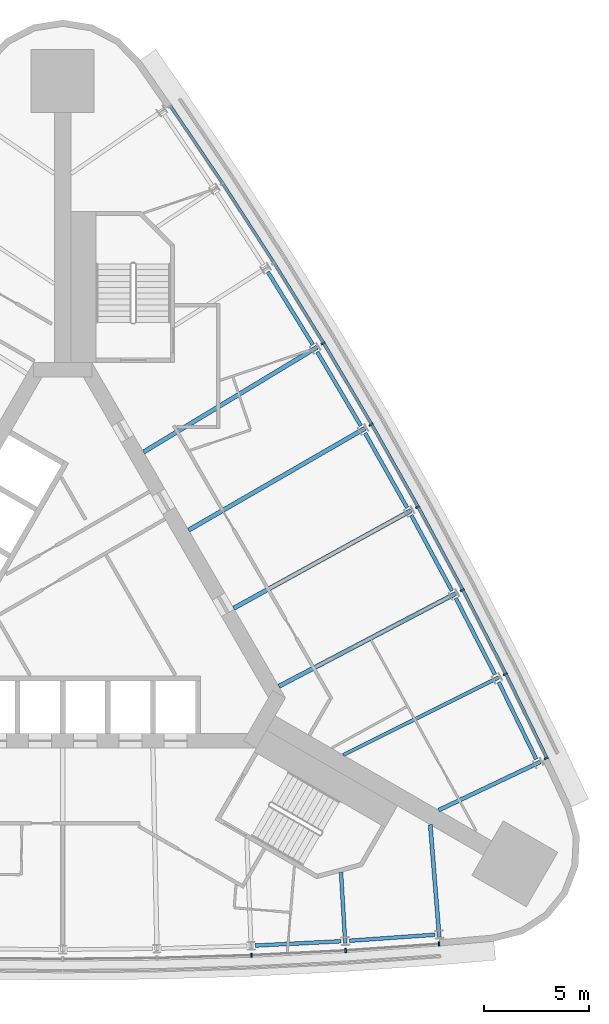
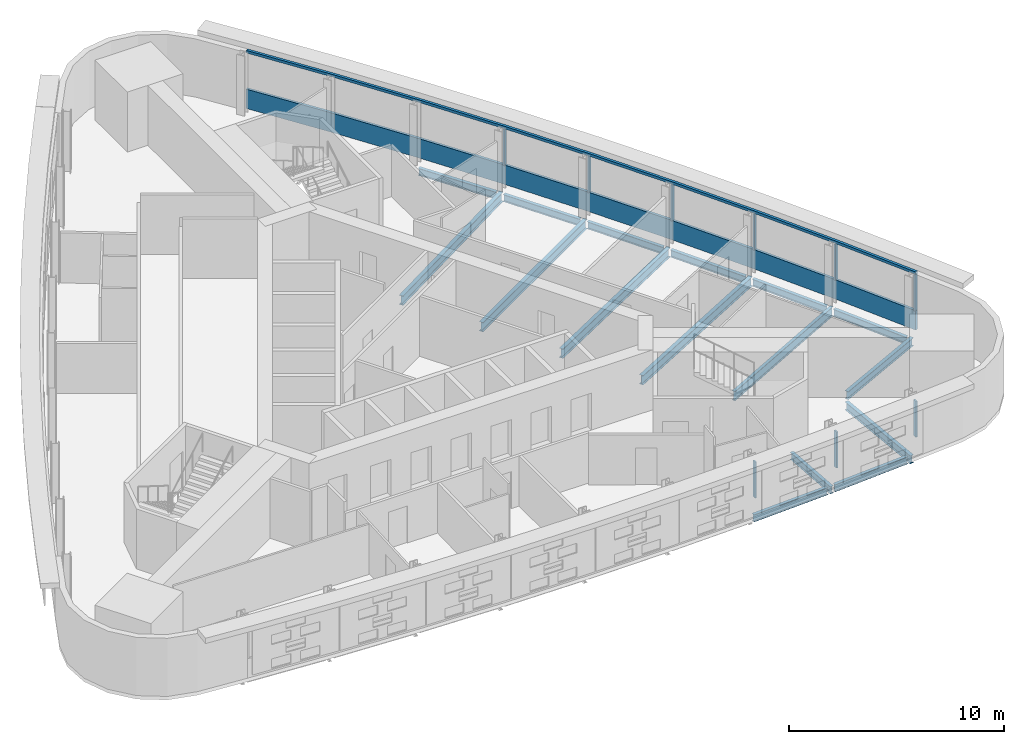
# One storey, part 4 of 11: 16 beams, 11 members, 2 elements without a shape of their own.
"""IFC4 building model written with IfcOpenShell, lengths in metres."""

from ifc_helpers import new_model, si_unit, direction, frame, origin, origin_2d, place, context, subcontext, project, spatial, polyline, rectangle, i_section, outline, extrude, material, material_profile, profile_set, type_object, element, aggregate, save


model = new_model("IFC4")

# Units and contexts
model_context = context("Model", 3, precision=1e-05, world=origin(), true_north=direction((0.0, 1.0)))
body_context = subcontext(model_context, "Body", "Model", "MODEL_VIEW")
ifc_project = project(units=[si_unit("LENGTHUNIT", "METRE"), si_unit("AREAUNIT", "SQUARE_METRE"), si_unit("VOLUMEUNIT", "CUBIC_METRE"), si_unit("PLANEANGLEUNIT", "RADIAN"), si_unit("MASSUNIT", "GRAM", prefix="KILO")], contexts=[model_context])

# Site, building, storey
site_placement = place(None, origin())
site = spatial("IfcSite", under=ifc_project, at=site_placement, CompositionType="ELEMENT")
building_placement = place(site_placement, origin())
building = spatial("IfcBuilding", under=site, at=building_placement, Name="Noor Cloister Tower", CompositionType="ELEMENT")
storey_placement = place(building_placement, frame((0.0, 0.0, 113.10009765625)))
storey = spatial("IfcBuildingStorey", under=building, at=storey_placement, Name="L29", CompositionType="ELEMENT", Elevation=113.10009765625)

# Curtain wall, member
ifc_material_1 = material(Name="Aluminium 6063-T6 anodised", Category="aluminium")
curtain_wall_type = type_object("IfcCurtainWallType", Name="Ribbon curtain wall, lower tower CW1", PredefinedType="NOTDEFINED", material=ifc_material_1)
curtain_wall_1_placement = place(storey_placement, origin())
curtain_wall_1 = element("IfcCurtainWall", 1, at=curtain_wall_1_placement, inside=storey, type_object=curtain_wall_type, Name="CW1 L29 NE run 3", PredefinedType="NOTDEFINED")
ifc_material_2 = material(Name="Aluminium 6063-T6 anodised", Category="aluminium")
member_type_1 = type_object("IfcMemberType", Name="Head transom CW1 150", PredefinedType="USERDEFINED", material=ifc_material_2)
member_1_placement = place(storey_placement, frame((0.0, 0.0, 3.14990234375)))
member_1 = element("IfcMember", 2, at=member_1_placement, type_object=member_type_1, Name="CW1 head transom", ObjectType="TRANSOM", PredefinedType="USERDEFINED", context=body_context, shape_type="SweptSolid", body=[
    extrude(outline(polyline([(23.151611328125, -7.395751953125), (21.180908203125, -3.350341796875), (19.129150390625, 0.65478515625), (16.99755859375, 4.617919921875), (14.786865234375, 8.537353515625), (12.498046875, 12.41162109375), (10.131591796875, 16.239013671875), (7.68896484375, 20.018310546875), (5.1708984375, 23.747802734375), (5.054931640625, 23.66943359375), (7.572265625, 19.941162109375), (10.013427734375, 16.164306640625), (12.378173828125, 12.339111328125), (14.665771484375, 8.46728515625), (16.875, 4.55029296875), (19.00537109375, 0.589599609375), (21.0556640625, -3.412841796875), (23.02587890625, -7.45703125), (23.151611328125, -7.395751953125)])), origin(), (0.0, 0.0, 1.0), 0.14990234375),
])

# Curtain wall, members
curtain_wall_2_placement = place(storey_placement, origin())
curtain_wall_2 = element("IfcCurtainWall", 3, at=curtain_wall_2_placement, inside=storey, type_object=curtain_wall_type, Name="CW1 L29 S run 2", PredefinedType="NOTDEFINED")
ifc_material_3 = material(Name="Aluminium 6063-T6 anodised", Category="aluminium")
ifc_material_profile_1 = material_profile(ifc_material_3, rectangle(XDim=0.199951171875, YDim=0.080078125, at=origin_2d()), Name="200 x 80 mullion")
ifc_profile_set_1 = profile_set([ifc_material_profile_1], Name="Aluminium 6063-T6 anodised")
member_type_2 = type_object("IfcMemberType", Name="Mullion CW1 80 x 200", PredefinedType="MULLION", material=ifc_profile_set_1)
member_2_placement = place(storey_placement, frame((8.99365234375, -16.7939453125, 1.099853515625), z_axis=(0.0, 0.0, 1.0), x_axis=(-0.04014673795, 0.999193794733, 0.0)))
member_2 = element("IfcMember", 4, at=member_2_placement, type_object=member_type_2, Name="CW1 mullion 7", PredefinedType="MULLION", context=body_context, shape_type="SweptSolid", body=[
    extrude(rectangle(XDim=0.199951171875, YDim=0.080078125, at=origin_2d()), origin(), (0.0, 0.0, 1.0), 2.050048828125),
])
member_3_placement = place(storey_placement, frame((13.48583984375, -16.568115234375, 1.099853515625), z_axis=(0.0, 0.0, 1.0), x_axis=(-0.06019986629, 0.998186343374, 0.0)))
member_3 = element("IfcMember", 5, at=member_3_placement, type_object=member_type_2, Name="CW1 mullion 8", PredefinedType="MULLION", context=body_context, shape_type="SweptSolid", body=[
    extrude(rectangle(XDim=0.199951171875, YDim=0.080078125, at=origin_2d()), origin(), (0.0, 0.0, 1.0), 2.050048828125),
])
member_4_placement = place(storey_placement, frame((17.933837890625, -16.255126953125, 1.099853515625), z_axis=(0.0, 0.0, 1.0), x_axis=(-0.070217834452, 0.997531681565, 0.0)))
member_4 = element("IfcMember", 6, at=member_4_placement, type_object=member_type_2, Name="CW1 mullion 9", PredefinedType="MULLION", context=body_context, shape_type="SweptSolid", body=[
    extrude(rectangle(XDim=0.199951171875, YDim=0.080078125, at=origin_2d()), origin(), (0.0, 0.0, 1.0), 2.050048828125),
])
aggregate(curtain_wall_2, [member_2, member_3, member_4])

# Member
member_5_placement = place(storey_placement, frame((23.044189453125, -7.403564453125, 1.099853515625), z_axis=(0.0, 0.0, 1.0), x_axis=(-0.89899669454, -0.437955412348, 0.0)))
member_5 = element("IfcMember", 7, at=member_5_placement, type_object=member_type_2, Name="CW1 mullion 1", PredefinedType="MULLION", context=body_context, shape_type="SweptSolid", body=[
    extrude(rectangle(XDim=0.199951171875, YDim=0.080078125, at=origin_2d()), origin(), (0.0, 0.0, 1.0), 2.050048828125),
])

member_6_placement = place(storey_placement, frame((21.09130859375, -3.39501953125, 1.099853515625), z_axis=(0.0, 0.0, 1.0), x_axis=(-0.894554664218, -0.446958558176, 0.0)))
member_6 = element("IfcMember", 8, at=member_6_placement, type_object=member_type_2, Name="CW1 mullion 2", PredefinedType="MULLION", context=body_context, shape_type="SweptSolid", body=[
    extrude(rectangle(XDim=0.199951171875, YDim=0.080078125, at=origin_2d()), origin(), (0.0, 0.0, 1.0), 2.050048828125),
])

member_7_placement = place(storey_placement, frame((19.040771484375, 0.6083984375, 1.099853515625), z_axis=(0.0, 0.0, 1.0), x_axis=(-0.885400578517, -0.464828802423, 0.0)))
member_7 = element("IfcMember", 9, at=member_7_placement, type_object=member_type_2, Name="CW1 mullion 3", PredefinedType="MULLION", context=body_context, shape_type="SweptSolid", body=[
    extrude(rectangle(XDim=0.199951171875, YDim=0.080078125, at=origin_2d()), origin(), (0.0, 0.0, 1.0), 2.050048828125),
])

member_8_placement = place(storey_placement, frame((16.91015625, 4.569580078125, 1.099853515625), z_axis=(0.0, 0.0, 1.0), x_axis=(-0.875889541426, -0.482511669518, 0.0)))
member_8 = element("IfcMember", 10, at=member_8_placement, type_object=member_type_2, Name="CW1 mullion 4", PredefinedType="MULLION", context=body_context, shape_type="SweptSolid", body=[
    extrude(rectangle(XDim=0.199951171875, YDim=0.080078125, at=origin_2d()), origin(), (0.0, 0.0, 1.0), 2.050048828125),
])

member_9_placement = place(storey_placement, frame((14.700439453125, 8.4873046875, 1.099853515625), z_axis=(0.0, 0.0, 1.0), x_axis=(-0.866025403784, -0.5, 0.0)))
member_9 = element("IfcMember", 11, at=member_9_placement, type_object=member_type_2, Name="CW1 mullion 5", PredefinedType="MULLION", context=body_context, shape_type="SweptSolid", body=[
    extrude(rectangle(XDim=0.199951171875, YDim=0.080078125, at=origin_2d()), origin(), (0.0, 0.0, 1.0), 2.050048828125),
])

member_10_placement = place(storey_placement, frame((12.412353515625, 12.35986328125, 1.099853515625), z_axis=(0.0, 0.0, 1.0), x_axis=(-0.855812134138, -0.517286759025, 0.0)))
member_10 = element("IfcMember", 12, at=member_10_placement, type_object=member_type_2, Name="CW1 mullion 6", PredefinedType="MULLION", context=body_context, shape_type="SweptSolid", body=[
    extrude(rectangle(XDim=0.199951171875, YDim=0.080078125, at=origin_2d()), origin(), (0.0, 0.0, 1.0), 2.050048828125),
])

# Beams
ifc_material_4 = material(Name="Steel ASTM A992 Gr 50", Category="steel")
ifc_material_profile_2 = material_profile(ifc_material_4, i_section(OverallWidth=0.177978515625, OverallDepth=0.406005859375, WebThickness=0.0078125, FlangeThickness=0.0126953125, FilletRadius=0.01025390625, at=origin_2d()), Name="W410x60")
ifc_profile_set_2 = profile_set([ifc_material_profile_2], Name="Steel ASTM A992 Gr 50")
beam_type_1 = type_object("IfcBeamType", Name="Radial beam W410x60", PredefinedType="BEAM", material=ifc_profile_set_2)
beam_1_placement = place(storey_placement, frame((13.46484375, -16.21923828125, -0.403076171875), z_axis=(-0.060196861766, 0.99818652457, 0.0), x_axis=(-0.99818652457, -0.060196861766, 0.0)))
element("IfcBeam", 13, at=beam_1_placement, inside=storey, type_object=beam_type_1, Name="Radial beam S 08 L29", PredefinedType="BEAM", context=body_context, shape_type="SweptSolid", body=[
    extrude(i_section(OverallWidth=0.177978515625, OverallDepth=0.406005859375, WebThickness=0.0078125, FlangeThickness=0.0126953125, FilletRadius=0.01025390625, at=origin_2d()), origin(), (0.0, 0.0, 1.0), 3.386474609375),
])
ifc_material_5 = material(Name="Steel ASTM A992 Gr 50", Category="steel")
ifc_material_profile_3 = material_profile(ifc_material_5, i_section(OverallWidth=0.19091796875, OverallDepth=0.45703125, WebThickness=0.009033203125, FlangeThickness=0.014404296875, FilletRadius=0.01025390625, at=origin_2d()), Name="W460x74")
ifc_profile_set_3 = profile_set([ifc_material_profile_3], Name="Steel ASTM A992 Gr 50")
beam_type_2 = type_object("IfcBeamType", Name="Radial beam W460x74", PredefinedType="BEAM", material=ifc_profile_set_3)
for number, where, z_axis, x_axis, name in (
    (14, (17.944580078125, -15.904052734375, -0.4287109375), (-0.080226140239, 0.996776688342, 0.0), (-0.996776688342, -0.080226140239, 0.0), "Radial beam S 09 L29"),
    (15, (22.74560546875, -7.58837890625, -0.4287109375), (-0.903337661444, -0.428930145148, 0.0), (0.428930145148, -0.903337661444, 0.0), "Radial beam NE 01 L29"),
):
    element("IfcBeam", number, at=place(storey_placement, frame(where, z_axis=z_axis, x_axis=x_axis)), inside=storey, type_object=beam_type_2, Name=name, PredefinedType="BEAM", context=body_context, shape_type="SweptSolid", body=[
        extrude(i_section(OverallWidth=0.19091796875, OverallDepth=0.45703125, WebThickness=0.009033203125, FlangeThickness=0.014404296875, FilletRadius=0.01025390625, at=origin_2d()), origin(), (0.0, 0.0, 1.0), 5.346923828125),
    ])
ifc_material_6 = material(Name="Steel ASTM A992 Gr 50", Category="steel")
ifc_material_profile_4 = material_profile(ifc_material_6, i_section(OverallWidth=0.166015625, OverallDepth=0.528076171875, WebThickness=0.009765625, FlangeThickness=0.013671875, FilletRadius=0.0126953125, at=origin_2d()), Name="W530x74")
ifc_profile_set_4 = profile_set([ifc_material_profile_4], Name="Steel ASTM A992 Gr 50")
beam_type_3 = type_object("IfcBeamType", Name="Radial beam W530x74", PredefinedType="BEAM", material=ifc_profile_set_4)
beam_2_placement = place(storey_placement, frame((20.77880859375, -3.55126953125, -0.464111328125), z_axis=(-0.894562676337, -0.44694252215, 0.0), x_axis=(0.44694252215, -0.894562676337, 0.0)))
element("IfcBeam", 16, at=beam_2_placement, inside=storey, type_object=beam_type_3, Name="Radial beam NE 02 L29", PredefinedType="BEAM", context=body_context, shape_type="SweptSolid", body=[
    extrude(i_section(OverallWidth=0.166015625, OverallDepth=0.528076171875, WebThickness=0.009765625, FlangeThickness=0.013671875, FilletRadius=0.0126953125, at=origin_2d()), origin(), (0.0, 0.0, 1.0), 8.28662109375),
])
ifc_material_7 = material(Name="Steel ASTM A992 Gr 50", Category="steel")
ifc_material_profile_5 = material_profile(ifc_material_7, i_section(OverallWidth=0.208984375, OverallDepth=0.532958984375, WebThickness=0.01025390625, FlangeThickness=0.015625, FilletRadius=0.0126953125, at=origin_2d()), Name="W530x92")
ifc_profile_set_5 = profile_set([ifc_material_profile_5], Name="Steel ASTM A992 Gr 50")
beam_type_4 = type_object("IfcBeamType", Name="Radial beam W530x92", PredefinedType="BEAM", material=ifc_profile_set_5)
beam_3_placement = place(storey_placement, frame((18.731201171875, 0.44580078125, -0.466552734375), z_axis=(-0.885403177812, -0.464823851282, 0.0), x_axis=(0.464823851282, -0.885403177812, 0.0)))
element("IfcBeam", 17, at=beam_3_placement, inside=storey, type_object=beam_type_4, Name="Radial beam NE 03 L29", PredefinedType="BEAM", context=body_context, shape_type="SweptSolid", body=[
    extrude(i_section(OverallWidth=0.208984375, OverallDepth=0.532958984375, WebThickness=0.01025390625, FlangeThickness=0.015625, FilletRadius=0.0126953125, at=origin_2d()), origin(), (0.0, 0.0, 1.0), 9.52392578125),
])
beam_4_placement = place(storey_placement, frame((16.60400390625, 4.40087890625, -0.466552734375), z_axis=(-0.875892135721, -0.482506960138, 0.0), x_axis=(0.482506960138, -0.875892135721, 0.0)))
element("IfcBeam", 18, at=beam_4_placement, inside=storey, type_object=beam_type_4, Name="Radial beam NE 04 L29", PredefinedType="BEAM", context=body_context, shape_type="SweptSolid", body=[
    extrude(i_section(OverallWidth=0.208984375, OverallDepth=0.532958984375, WebThickness=0.01025390625, FlangeThickness=0.015625, FilletRadius=0.0126953125, at=origin_2d()), origin(), (0.0, 0.0, 1.0), 9.653564453125),
])
beam_5_placement = place(storey_placement, frame((14.397705078125, 8.3125, -0.466552734375), z_axis=(-0.866026681613, -0.49999778673, 0.0), x_axis=(0.49999778673, -0.866026681613, 0.0)))
element("IfcBeam", 19, at=beam_5_placement, inside=storey, type_object=beam_type_4, Name="Radial beam NE 05 L29", PredefinedType="BEAM", context=body_context, shape_type="SweptSolid", body=[
    extrude(i_section(OverallWidth=0.208984375, OverallDepth=0.532958984375, WebThickness=0.01025390625, FlangeThickness=0.015625, FilletRadius=0.0126953125, at=origin_2d()), origin(), (0.0, 0.0, 1.0), 9.69677734375),
])
beam_6_placement = place(storey_placement, frame((12.11328125, 12.178955078125, -0.466552734375), z_axis=(-0.855814783714, -0.517282375475, 0.0), x_axis=(0.517282375475, -0.855814783714, 0.0)))
element("IfcBeam", 20, at=beam_6_placement, inside=storey, type_object=beam_type_4, Name="Radial beam NE 06 L29", PredefinedType="BEAM", context=body_context, shape_type="SweptSolid", body=[
    extrude(i_section(OverallWidth=0.208984375, OverallDepth=0.532958984375, WebThickness=0.01025390625, FlangeThickness=0.015625, FilletRadius=0.0126953125, at=origin_2d()), origin(), (0.0, 0.0, 1.0), 9.653564453125),
])

# Member
ifc_material_8 = material(Name="Aluminium 6063-T6 anodised", Category="aluminium")
member_type_3 = type_object("IfcMemberType", Name="Sill transom CW1 1100", PredefinedType="USERDEFINED", material=ifc_material_8)
member_11_placement = place(storey_placement, origin())
member_11 = element("IfcMember", 21, at=member_11_placement, type_object=member_type_3, Name="CW1 sill transom", ObjectType="TRANSOM", PredefinedType="USERDEFINED", context=body_context, shape_type="SweptSolid", body=[
    extrude(outline(polyline([(23.151611328125, -7.395751953125), (21.180908203125, -3.350341796875), (19.129150390625, 0.65478515625), (16.99755859375, 4.617919921875), (14.786865234375, 8.537353515625), (12.498046875, 12.41162109375), (10.131591796875, 16.239013671875), (7.68896484375, 20.018310546875), (5.1708984375, 23.747802734375), (5.054931640625, 23.66943359375), (7.572265625, 19.941162109375), (10.013427734375, 16.164306640625), (12.378173828125, 12.339111328125), (14.665771484375, 8.46728515625), (16.875, 4.55029296875), (19.00537109375, 0.589599609375), (21.0556640625, -3.412841796875), (23.02587890625, -7.45703125), (23.151611328125, -7.395751953125)])), origin(), (0.0, 0.0, 1.0), 1.099853515625),
])

aggregate(curtain_wall_1, [member_5, member_6, member_7, member_8, member_9, member_10, member_11, member_1])

# Beams
ifc_material_9 = material(Name="Steel ASTM A992 Gr 50", Category="steel")
ifc_material_profile_6 = material_profile(ifc_material_9, i_section(OverallWidth=0.177978515625, OverallDepth=0.406005859375, WebThickness=0.0078125, FlangeThickness=0.0126953125, FilletRadius=0.01025390625, at=origin_2d()), Name="W410x60")
ifc_profile_set_6 = profile_set([ifc_material_profile_6], Name="Steel ASTM A992 Gr 50")
beam_type_5 = type_object("IfcBeamType", Name="Spandrel beam W410x60", PredefinedType="SPANDREL", material=ifc_profile_set_6)
for number, where, z_axis, x_axis, name in (
    (22, (9.17578125, -16.334228515625, -0.403076171875), (0.998740844614, 0.050166974196, 0.0), (-0.050166974196, 0.998740844614, 0.0), "Spandrel beam S 07 L29"),
    (23, (13.65869140625, -16.10498046875, -0.403076171875), (0.997530638237, 0.070232654647, 0.0), (-0.070232654647, 0.997530638237, 0.0), "Spandrel beam S 08 L29"),
    (24, (22.56689453125, -7.451416015625, -0.403076171875), (-0.437944670986, 0.899001927226, 0.0), (-0.899001927226, -0.437944670986, 0.0), "Spandrel beam NE 01 L29"),
    (25, (20.597412109375, -3.417724609375, -0.403076171875), (-0.455911640241, 0.890025042509, 0.0), (-0.890025042509, -0.455911640241, 0.0), "Spandrel beam NE 02 L29"),
    (26, (18.54736328125, 0.57568359375, -0.403076171875), (-0.473722264801, 0.880674296112, 0.0), (-0.880674296112, -0.473722264801, 0.0), "Spandrel beam NE 03 L29"),
    (27, (16.41748046875, 4.527099609375, -0.403076171875), (-0.491281688798, 0.871000747561, 0.0), (-0.871000747561, -0.491281688798, 0.0), "Spandrel beam NE 04 L29"),
    (28, (14.208740234375, 8.434814453125, -0.403076171875), (-0.508705167369, 0.860940795115, 0.0), (-0.860940795115, -0.508705167369, 0.0), "Spandrel beam NE 05 L29"),
    (29, (11.921875, 12.297607421875, -0.403076171875), (-0.525859022029, 0.850571742389, 0.0), (-0.850571742389, -0.525859022029, 0.0), "Spandrel beam NE 06 L29"),
):
    element("IfcBeam", number, at=place(storey_placement, frame(where, z_axis=z_axis, x_axis=x_axis)), inside=storey, type_object=beam_type_5, Name=name, PredefinedType="SPANDREL", context=body_context, shape_type="SweptSolid", body=[
        extrude(i_section(OverallWidth=0.177978515625, OverallDepth=0.406005859375, WebThickness=0.0078125, FlangeThickness=0.0126953125, FilletRadius=0.01025390625, at=origin_2d()), origin(), (0.0, 0.0, 1.0), 4.087890625),
    ])

save(model, "model.ifc")
